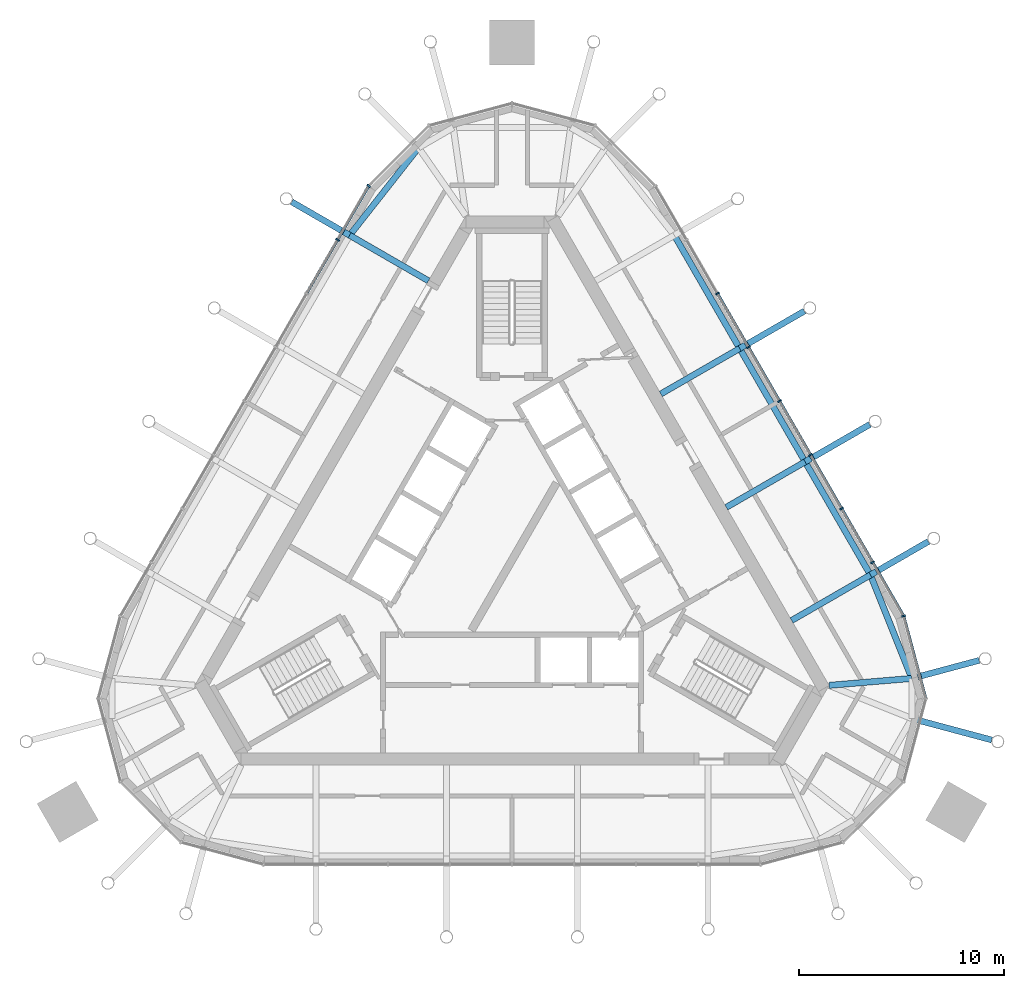
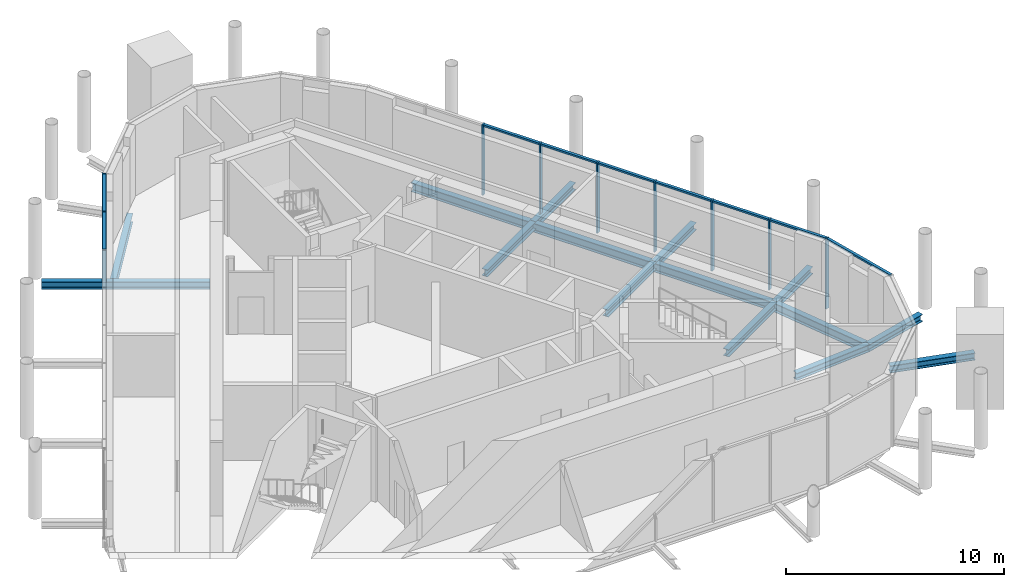
# One storey, part 4 of 11: 18 members, 16 beams, 4 elements without a shape of their own.
"""IFC4 building model written with IfcOpenShell, lengths in metres."""

from ifc_helpers import new_model, si_unit, direction, frame, origin, origin_2d, place, context, subcontext, project, spatial, rectangle, i_section, extrude, material, material_profile, profile_set, type_object, element, aggregate, save


model = new_model("IFC4")

# Units and contexts
model_context = context("Model", 3, precision=1e-05, world=origin(), true_north=direction((0.0, 1.0)))
body_context = subcontext(model_context, "Body", "Model", "MODEL_VIEW")
ifc_project = project(units=[si_unit("LENGTHUNIT", "METRE"), si_unit("AREAUNIT", "SQUARE_METRE"), si_unit("VOLUMEUNIT", "CUBIC_METRE"), si_unit("PLANEANGLEUNIT", "RADIAN"), si_unit("MASSUNIT", "GRAM", prefix="KILO")], contexts=[model_context])

# Site, building, storey
site_placement = place(None, origin())
site = spatial("IfcSite", under=ifc_project, at=site_placement, CompositionType="ELEMENT")
building_placement = place(site_placement, origin())
building = spatial("IfcBuilding", under=site, at=building_placement, Name="Mestral Congress Tower", CompositionType="ELEMENT")
storey_placement = place(building_placement, frame((0.0, 0.0, 336.0)))
storey = spatial("IfcBuildingStorey", under=building, at=storey_placement, Name="L78", CompositionType="ELEMENT", Elevation=336.0)

# Curtain wall, member
ifc_material_1 = material(Name="Glazed ceramic", Category="masonry")
curtain_wall_type = type_object("IfcCurtainWallType", Name="Facade plant louvre screen", PredefinedType="USERDEFINED", material=ifc_material_1)
placement = place(storey_placement, origin())
curtain_wall_1 = element("IfcCurtainWall", 1, at=placement, inside=storey, type_object=curtain_wall_type, Name="Plant louvre screen corner 1", ObjectType="CURTAIN WALL", PredefinedType="USERDEFINED")
ifc_material_2 = material(Name="Anodised aluminium", Category="aluminium")
ifc_material_profile_1 = material_profile(ifc_material_2, rectangle(XDim=0.199951171875, YDim=0.080078125, at=origin_2d()), Name="CW6 mullion 200 x 80")
ifc_profile_set_1 = profile_set([ifc_material_profile_1], Name="Anodised aluminium")
member_type_1 = type_object("IfcMemberType", Name="Facade plant louvre screen mullion", PredefinedType="MULLION", material=ifc_profile_set_1)
member_1_placement = place(storey_placement, frame((19.145751953125, -2.96142578125, 0.0), z_axis=(0.0, 0.0, 1.0), x_axis=(0.965925826289, 0.258819045103, 0.0)))
member_1 = element("IfcMember", 2, at=member_1_placement, type_object=member_type_1, Name="Facade plant louvre screen mullion", PredefinedType="MULLION", context=body_context, shape_type="SweptSolid", body=[
    extrude(rectangle(XDim=0.199951171875, YDim=0.080078125, at=origin_2d()), origin(), (0.0, 0.0, 1.0), 3.949951171875),
])

# Curtain wall, members
curtain_wall_2 = element("IfcCurtainWall", 3, at=placement, inside=storey, type_object=curtain_wall_type, Name="Plant louvre screen side 2", ObjectType="CURTAIN WALL", PredefinedType="USERDEFINED")
member_2_placement = place(storey_placement, frame((17.628662109375, -0.33349609375, 0.0), z_axis=(0.0, 0.0, 1.0), x_axis=(0.866024531118, 0.500001511499, 0.0)))
member_2 = element("IfcMember", 4, at=member_2_placement, type_object=member_type_1, Name="Facade plant louvre screen mullion", PredefinedType="MULLION", context=body_context, shape_type="SweptSolid", body=[
    extrude(rectangle(XDim=0.199951171875, YDim=0.080078125, at=origin_2d()), origin(), (0.0, 0.0, 1.0), 3.949951171875),
])
member_3_placement = place(storey_placement, frame((16.111328125, 2.294189453125, 0.0), z_axis=(0.0, 0.0, 1.0), x_axis=(0.866024531118, 0.500001511499, 0.0)))
member_3 = element("IfcMember", 5, at=member_3_placement, type_object=member_type_1, Name="Facade plant louvre screen mullion", PredefinedType="MULLION", context=body_context, shape_type="SweptSolid", body=[
    extrude(rectangle(XDim=0.199951171875, YDim=0.080078125, at=origin_2d()), origin(), (0.0, 0.0, 1.0), 3.949951171875),
])
member_4_placement = place(storey_placement, frame((14.59423828125, 4.922119140625, 0.0), z_axis=(0.0, 0.0, 1.0), x_axis=(0.866024531118, 0.500001511499, 0.0)))
member_4 = element("IfcMember", 6, at=member_4_placement, type_object=member_type_1, Name="Facade plant louvre screen mullion", PredefinedType="MULLION", context=body_context, shape_type="SweptSolid", body=[
    extrude(rectangle(XDim=0.199951171875, YDim=0.080078125, at=origin_2d()), origin(), (0.0, 0.0, 1.0), 3.949951171875),
])
member_5_placement = place(storey_placement, frame((13.076904296875, 7.550048828125, 0.0), z_axis=(0.0, 0.0, 1.0), x_axis=(0.866024531118, 0.500001511499, 0.0)))
member_5 = element("IfcMember", 7, at=member_5_placement, type_object=member_type_1, Name="Facade plant louvre screen mullion", PredefinedType="MULLION", context=body_context, shape_type="SweptSolid", body=[
    extrude(rectangle(XDim=0.199951171875, YDim=0.080078125, at=origin_2d()), origin(), (0.0, 0.0, 1.0), 3.949951171875),
])
member_6_placement = place(storey_placement, frame((11.559814453125, 10.177978515625, 0.0), z_axis=(0.0, 0.0, 1.0), x_axis=(0.866024531118, 0.500001511499, 0.0)))
member_6 = element("IfcMember", 8, at=member_6_placement, type_object=member_type_1, Name="Facade plant louvre screen mullion", PredefinedType="MULLION", context=body_context, shape_type="SweptSolid", body=[
    extrude(rectangle(XDim=0.199951171875, YDim=0.080078125, at=origin_2d()), origin(), (0.0, 0.0, 1.0), 3.949951171875),
])
member_7_placement = place(storey_placement, frame((10.04248046875, 12.8056640625, 0.0), z_axis=(0.0, 0.0, 1.0), x_axis=(0.866024531118, 0.500001511499, 0.0)))
member_7 = element("IfcMember", 9, at=member_7_placement, type_object=member_type_1, Name="Facade plant louvre screen mullion", PredefinedType="MULLION", context=body_context, shape_type="SweptSolid", body=[
    extrude(rectangle(XDim=0.199951171875, YDim=0.080078125, at=origin_2d()), origin(), (0.0, 0.0, 1.0), 3.949951171875),
])

# Curtain wall, member
curtain_wall_3 = element("IfcCurtainWall", 10, at=placement, inside=storey, type_object=curtain_wall_type, Name="Plant louvre screen corner 3", ObjectType="CURTAIN WALL", PredefinedType="USERDEFINED")
member_8_placement = place(storey_placement, frame((-7.00830078125, 18.061279296875, 0.0), z_axis=(0.0, 0.0, 1.0), x_axis=(-0.707106781187, 0.707106781187, 0.0)))
member_8 = element("IfcMember", 11, at=member_8_placement, type_object=member_type_1, Name="Facade plant louvre screen mullion", PredefinedType="MULLION", context=body_context, shape_type="SweptSolid", body=[
    extrude(rectangle(XDim=0.199951171875, YDim=0.080078125, at=origin_2d()), origin(), (0.0, 0.0, 1.0), 3.949951171875),
])
aggregate(curtain_wall_3, [member_8])

curtain_wall_4 = element("IfcCurtainWall", 12, at=placement, inside=storey, type_object=curtain_wall_type, Name="Plant louvre screen side 4", ObjectType="CURTAIN WALL", PredefinedType="USERDEFINED")
member_9_placement = place(storey_placement, frame((-8.525390625, 15.43359375, 0.0), z_axis=(0.0, 0.0, 1.0), x_axis=(-0.866024531118, 0.500001511499, 0.0)))
member_9 = element("IfcMember", 13, at=member_9_placement, type_object=member_type_1, Name="Facade plant louvre screen mullion", PredefinedType="MULLION", context=body_context, shape_type="SweptSolid", body=[
    extrude(rectangle(XDim=0.199951171875, YDim=0.080078125, at=origin_2d()), origin(), (0.0, 0.0, 1.0), 3.949951171875),
])

# Member
ifc_material_profile_2 = material_profile(ifc_material_2, rectangle(XDim=0.14990234375, YDim=0.10009765625, at=origin_2d()), Name="CW6 transom 150 x 100")
ifc_profile_set_2 = profile_set([ifc_material_profile_2], Name="Anodised aluminium")
member_type_2 = type_object("IfcMemberType", Name="Facade plant louvre screen transom", PredefinedType="USERDEFINED", material=ifc_profile_set_2)
member_10_placement = place(storey_placement, frame((20.217529296875, -6.96142578125, 3.89990234375), z_axis=(-0.258833286133, 0.965922010304, 0.0), x_axis=(-0.965922010304, -0.258833286133, 0.0)))
member_10 = element("IfcMember", 14, at=member_10_placement, type_object=member_type_2, Name="Facade plant louvre screen transom", ObjectType="TRANSOM", PredefinedType="USERDEFINED", context=body_context, shape_type="SweptSolid", body=[
    extrude(rectangle(XDim=0.14990234375, YDim=0.10009765625, at=origin_2d()), origin(), (0.0, 0.0, 1.0), 4.10107421875),
])

aggregate(curtain_wall_1, [member_1, member_10])

member_11_placement = place(storey_placement, frame((19.125732421875, -2.9267578125, 3.89990234375), z_axis=(-0.499960902066, 0.86604797581, 0.0), x_axis=(-0.86604797581, -0.499960902066, 0.0)))
member_11 = element("IfcMember", 15, at=member_11_placement, type_object=member_type_2, Name="Facade plant louvre screen transom", ObjectType="TRANSOM", PredefinedType="USERDEFINED", context=body_context, shape_type="SweptSolid", body=[
    extrude(rectangle(XDim=0.14990234375, YDim=0.10009765625, at=origin_2d()), origin(), (0.0, 0.0, 1.0), 2.954345703125),
])

member_12_placement = place(storey_placement, frame((17.608642578125, -0.298828125, 3.89990234375), z_axis=(-0.50002288008, 0.866012193561, 0.0), x_axis=(-0.866012193561, -0.50002288008, 0.0)))
member_12 = element("IfcMember", 16, at=member_12_placement, type_object=member_type_2, Name="Facade plant louvre screen transom", ObjectType="TRANSOM", PredefinedType="USERDEFINED", context=body_context, shape_type="SweptSolid", body=[
    extrude(rectangle(XDim=0.14990234375, YDim=0.10009765625, at=origin_2d()), origin(), (0.0, 0.0, 1.0), 2.954345703125),
])

member_13_placement = place(storey_placement, frame((16.09130859375, 2.328857421875, 3.89990234375), z_axis=(-0.499960902066, 0.86604797581, 0.0), x_axis=(-0.86604797581, -0.499960902066, 0.0)))
member_13 = element("IfcMember", 17, at=member_13_placement, type_object=member_type_2, Name="Facade plant louvre screen transom", ObjectType="TRANSOM", PredefinedType="USERDEFINED", context=body_context, shape_type="SweptSolid", body=[
    extrude(rectangle(XDim=0.14990234375, YDim=0.10009765625, at=origin_2d()), origin(), (0.0, 0.0, 1.0), 2.954345703125),
])

member_14_placement = place(storey_placement, frame((14.57421875, 4.956787109375, 3.89990234375), z_axis=(-0.50002288008, 0.866012193561, 0.0), x_axis=(-0.866012193561, -0.50002288008, 0.0)))
member_14 = element("IfcMember", 18, at=member_14_placement, type_object=member_type_2, Name="Facade plant louvre screen transom", ObjectType="TRANSOM", PredefinedType="USERDEFINED", context=body_context, shape_type="SweptSolid", body=[
    extrude(rectangle(XDim=0.14990234375, YDim=0.10009765625, at=origin_2d()), origin(), (0.0, 0.0, 1.0), 2.954345703125),
])

member_15_placement = place(storey_placement, frame((13.056884765625, 7.584716796875, 3.89990234375), z_axis=(-0.499960902066, 0.86604797581, 0.0), x_axis=(-0.86604797581, -0.499960902066, 0.0)))
member_15 = element("IfcMember", 19, at=member_15_placement, type_object=member_type_2, Name="Facade plant louvre screen transom", ObjectType="TRANSOM", PredefinedType="USERDEFINED", context=body_context, shape_type="SweptSolid", body=[
    extrude(rectangle(XDim=0.14990234375, YDim=0.10009765625, at=origin_2d()), origin(), (0.0, 0.0, 1.0), 2.954345703125),
])

member_16_placement = place(storey_placement, frame((11.539794921875, 10.21240234375, 3.89990234375), z_axis=(-0.50002288008, 0.866012193561, 0.0), x_axis=(-0.866012193561, -0.50002288008, 0.0)))
member_16 = element("IfcMember", 20, at=member_16_placement, type_object=member_type_2, Name="Facade plant louvre screen transom", ObjectType="TRANSOM", PredefinedType="USERDEFINED", context=body_context, shape_type="SweptSolid", body=[
    extrude(rectangle(XDim=0.14990234375, YDim=0.10009765625, at=origin_2d()), origin(), (0.0, 0.0, 1.0), 2.954345703125),
])

aggregate(curtain_wall_2, [member_2, member_3, member_4, member_5, member_6, member_7, member_11, member_12, member_13, member_14, member_15, member_16])

member_17_placement = place(storey_placement, frame((-7.0283203125, 18.02685546875, 3.89990234375), z_axis=(-0.499960902066, -0.86604797581, 0.0), x_axis=(0.86604797581, -0.499960902066, 0.0)))
member_17 = element("IfcMember", 21, at=member_17_placement, type_object=member_type_2, Name="Facade plant louvre screen transom", ObjectType="TRANSOM", PredefinedType="USERDEFINED", context=body_context, shape_type="SweptSolid", body=[
    extrude(rectangle(XDim=0.14990234375, YDim=0.10009765625, at=origin_2d()), origin(), (0.0, 0.0, 1.0), 2.954345703125),
])

member_18_placement = place(storey_placement, frame((-8.54541015625, 15.39892578125, 3.89990234375), z_axis=(-0.50002288008, -0.866012193561, 0.0), x_axis=(0.866012193561, -0.50002288008, 0.0)))
member_18 = element("IfcMember", 22, at=member_18_placement, type_object=member_type_2, Name="Facade plant louvre screen transom", ObjectType="TRANSOM", PredefinedType="USERDEFINED", context=body_context, shape_type="SweptSolid", body=[
    extrude(rectangle(XDim=0.14990234375, YDim=0.10009765625, at=origin_2d()), origin(), (0.0, 0.0, 1.0), 2.954345703125),
])

aggregate(curtain_wall_4, [member_9, member_17, member_18])

# Beams
ifc_material_3 = material(Name="Steel S355", Category="steel")
ifc_material_profile_3 = material_profile(ifc_material_3, i_section(OverallWidth=0.300048828125, OverallDepth=0.39990234375, WebThickness=0.013427734375, FlangeThickness=0.02392578125, FilletRadius=0.027099609375, at=origin_2d()), Name="HEB 400")
ifc_profile_set_3 = profile_set([ifc_material_profile_3], Name="Steel S355")
beam_type_1 = type_object("IfcBeamType", Name="Floor beam HEB 400 S355", PredefinedType="BEAM", material=ifc_profile_set_3)
for number, where, z_axis, x_axis, name in (
    (23, (-4.083251953125, 13.427734375, -0.449951171875), (-0.866036664382, 0.499980495566, 0.0), (-0.499980495566, -0.866036664382, 0.0), "BM-L78-KR11"),
    (24, (7.277099609375, 7.89599609375, -0.449951171875), (0.866036664382, 0.499980495566, 0.0), (-0.499980495566, 0.866036664382, 0.0), "BM-L78-KR17"),
    (25, (10.4765625, 2.35400390625, -0.449951171875), (0.866012907634, 0.500021643343, 0.0), (-0.500021643343, 0.866012907634, 0.0), "BM-L78-KR18"),
    (26, (13.67041015625, -3.177734375, -0.449951171875), (0.866012907634, 0.500021643343, 0.0), (-0.500021643343, 0.866012907634, 0.0), "BM-L78-KR19"),
):
    element("IfcBeam", number, at=place(storey_placement, frame(where, z_axis=z_axis, x_axis=x_axis)), inside=storey, type_object=beam_type_1, Name=name, PredefinedType="BEAM", context=body_context, shape_type="SweptSolid", body=[
        extrude(i_section(OverallWidth=0.300048828125, OverallDepth=0.39990234375, WebThickness=0.013427734375, FlangeThickness=0.02392578125, FilletRadius=0.027099609375, at=origin_2d()), origin(), (0.0, 0.0, 1.0), 4.449951171875),
    ])
beam_1_placement = place(storey_placement, frame((15.501953125, -6.35009765625, -0.449951171875), z_axis=(0.996497077205, 0.083627597852, 0.0), x_axis=(-0.083627597852, 0.996497077205, 0.0)))
element("IfcBeam", 27, at=beam_1_placement, inside=storey, type_object=beam_type_1, Name="BM-L78-KR20", PredefinedType="BEAM", context=body_context, shape_type="SweptSolid", body=[
    extrude(i_section(OverallWidth=0.300048828125, OverallDepth=0.39990234375, WebThickness=0.013427734375, FlangeThickness=0.02392578125, FilletRadius=0.027099609375, at=origin_2d()), origin(), (0.0, 0.0, 1.0), 4.060791015625),
])
beam_2_placement = place(storey_placement, frame((-10.767822265625, 17.287109375, -0.449951171875), z_axis=(0.866005234444, -0.500034932695, 0.0), x_axis=(0.500034932695, 0.866005234444, 0.0)))
element("IfcBeam", 28, at=beam_2_placement, inside=storey, type_object=beam_type_1, Name="BM-L78-KT-C5-W01", PredefinedType="BEAM", context=body_context, shape_type="SweptSolid", body=[
    extrude(i_section(OverallWidth=0.300048828125, OverallDepth=0.39990234375, WebThickness=0.013427734375, FlangeThickness=0.02392578125, FilletRadius=0.027099609375, at=origin_2d()), origin(), (0.0, 0.0, 1.0), 3.268798828125),
])
beam_3_placement = place(storey_placement, frame((14.2919921875, 11.946044921875, -0.449951171875), z_axis=(-0.866011828767, -0.500023511883, 0.0), x_axis=(0.500023511883, -0.866011828767, 0.0)))
element("IfcBeam", 29, at=beam_3_placement, inside=storey, type_object=beam_type_1, Name="BM-L78-KT-C5-E03", PredefinedType="BEAM", context=body_context, shape_type="SweptSolid", body=[
    extrude(i_section(OverallWidth=0.300048828125, OverallDepth=0.39990234375, WebThickness=0.013427734375, FlangeThickness=0.02392578125, FilletRadius=0.027099609375, at=origin_2d()), origin(), (0.0, 0.0, 1.0), 3.650146484375),
])
beam_4_placement = place(storey_placement, frame((17.49169921875, 6.404296875, -0.449951171875), z_axis=(-0.866028549844, -0.499994550825, 0.0), x_axis=(0.499994550825, -0.866028549844, 0.0)))
element("IfcBeam", 30, at=beam_4_placement, inside=storey, type_object=beam_type_1, Name="BM-L78-KT-C5-E02", PredefinedType="BEAM", context=body_context, shape_type="SweptSolid", body=[
    extrude(i_section(OverallWidth=0.300048828125, OverallDepth=0.39990234375, WebThickness=0.013427734375, FlangeThickness=0.02392578125, FilletRadius=0.027099609375, at=origin_2d()), origin(), (0.0, 0.0, 1.0), 3.650390625),
])
beam_5_placement = place(storey_placement, frame((20.35498046875, 0.681640625, -0.449951171875), z_axis=(-0.86603757612, -0.499978916304, 0.0), x_axis=(0.499978916304, -0.86603757612, 0.0)))
element("IfcBeam", 31, at=beam_5_placement, inside=storey, type_object=beam_type_1, Name="BM-L78-KT-C5-E01", PredefinedType="BEAM", context=body_context, shape_type="SweptSolid", body=[
    extrude(i_section(OverallWidth=0.300048828125, OverallDepth=0.39990234375, WebThickness=0.013427734375, FlangeThickness=0.02392578125, FilletRadius=0.027099609375, at=origin_2d()), origin(), (0.0, 0.0, 1.0), 3.268798828125),
])
beam_6_placement = place(storey_placement, frame((22.841552734375, -5.1279296875, -0.449951171875), z_axis=(-0.965909688455, -0.258879264811, 0.0), x_axis=(0.258879264811, -0.965909688455, 0.0)))
element("IfcBeam", 32, at=beam_6_placement, inside=storey, type_object=beam_type_1, Name="BM-L78-KT-C5-E00", PredefinedType="BEAM", context=body_context, shape_type="SweptSolid", body=[
    extrude(i_section(OverallWidth=0.300048828125, OverallDepth=0.39990234375, WebThickness=0.013427734375, FlangeThickness=0.02392578125, FilletRadius=0.027099609375, at=origin_2d()), origin(), (0.0, 0.0, 1.0), 3.4091796875),
])
beam_7_placement = place(storey_placement, frame((23.453369140625, -9.0205078125, -0.449951171875), z_axis=(-0.965930242246, 0.258802563966, 0.0), x_axis=(-0.258802563966, -0.965930242246, 0.0)))
element("IfcBeam", 33, at=beam_7_placement, inside=storey, type_object=beam_type_1, Name="BM-L78-KT-C5-SE3", PredefinedType="BEAM", context=body_context, shape_type="SweptSolid", body=[
    extrude(i_section(OverallWidth=0.300048828125, OverallDepth=0.39990234375, WebThickness=0.013427734375, FlangeThickness=0.02392578125, FilletRadius=0.027099609375, at=origin_2d()), origin(), (0.0, 0.0, 1.0), 4.03857421875),
])
ifc_material_profile_4 = material_profile(ifc_material_3, i_section(OverallWidth=0.300048828125, OverallDepth=0.5, WebThickness=0.014404296875, FlangeThickness=0.028076171875, FilletRadius=0.027099609375, at=origin_2d()), Name="HEB 500")
ifc_profile_set_4 = profile_set([ifc_material_profile_4], Name="Steel S355")
beam_type_2 = type_object("IfcBeamType", Name="Floor beam HEB 500 S355", PredefinedType="BEAM", material=ifc_profile_set_4)
beam_8_placement = place(storey_placement, frame((-7.93701171875, 15.652587890625, -0.5), z_axis=(0.618197515987, 0.786022793071, 0.0), x_axis=(-0.786022793071, 0.618197515987, 0.0)))
element("IfcBeam", 34, at=beam_8_placement, inside=storey, type_object=beam_type_2, Name="BM-L78-KG11", PredefinedType="BEAM", context=body_context, shape_type="SweptSolid", body=[
    extrude(i_section(OverallWidth=0.300048828125, OverallDepth=0.5, WebThickness=0.014404296875, FlangeThickness=0.028076171875, FilletRadius=0.027099609375, at=origin_2d()), origin(), (0.0, 0.0, 1.0), 5.447998046875),
])
beam_9_placement = place(storey_placement, frame((7.93701171875, 15.652587890625, -0.5), z_axis=(0.500011397576, -0.866018823291, 0.0), x_axis=(0.866018823291, 0.500011397576, 0.0)))
element("IfcBeam", 35, at=beam_9_placement, inside=storey, type_object=beam_type_2, Name="BM-L78-KG16", PredefinedType="BEAM", context=body_context, shape_type="SweptSolid", body=[
    extrude(i_section(OverallWidth=0.300048828125, OverallDepth=0.5, WebThickness=0.014404296875, FlangeThickness=0.028076171875, FilletRadius=0.027099609375, at=origin_2d()), origin(), (0.0, 0.0, 1.0), 6.387451171875),
])
beam_10_placement = place(storey_placement, frame((11.130859375, 10.120849609375, -0.5), z_axis=(0.499992166441, -0.866029926444, 0.0), x_axis=(0.866029926444, 0.499992166441, 0.0)))
element("IfcBeam", 36, at=beam_10_placement, inside=storey, type_object=beam_type_2, Name="BM-L78-KG17", PredefinedType="BEAM", context=body_context, shape_type="SweptSolid", body=[
    extrude(i_section(OverallWidth=0.300048828125, OverallDepth=0.5, WebThickness=0.014404296875, FlangeThickness=0.028076171875, FilletRadius=0.027099609375, at=origin_2d()), origin(), (0.0, 0.0, 1.0), 6.39892578125),
])
beam_11_placement = place(storey_placement, frame((14.330322265625, 4.5791015625, -0.5), z_axis=(0.500011397576, -0.866018823291, 0.0), x_axis=(0.866018823291, 0.500011397576, 0.0)))
element("IfcBeam", 37, at=beam_11_placement, inside=storey, type_object=beam_type_2, Name="BM-L78-KG18", PredefinedType="BEAM", context=body_context, shape_type="SweptSolid", body=[
    extrude(i_section(OverallWidth=0.300048828125, OverallDepth=0.5, WebThickness=0.014404296875, FlangeThickness=0.028076171875, FilletRadius=0.027099609375, at=origin_2d()), origin(), (0.0, 0.0, 1.0), 6.387451171875),
])
beam_12_placement = place(storey_placement, frame((17.524169921875, -0.95263671875, -0.5), z_axis=(0.37159155469, -0.928396314341, 0.0), x_axis=(0.928396314341, 0.37159155469, 0.0)))
element("IfcBeam", 38, at=beam_12_placement, inside=storey, type_object=beam_type_2, Name="BM-L78-KG19", PredefinedType="BEAM", context=body_context, shape_type="SweptSolid", body=[
    extrude(i_section(OverallWidth=0.300048828125, OverallDepth=0.5, WebThickness=0.014404296875, FlangeThickness=0.028076171875, FilletRadius=0.027099609375, at=origin_2d()), origin(), (0.0, 0.0, 1.0), 5.447998046875),
])

save(model, "model.ifc")
